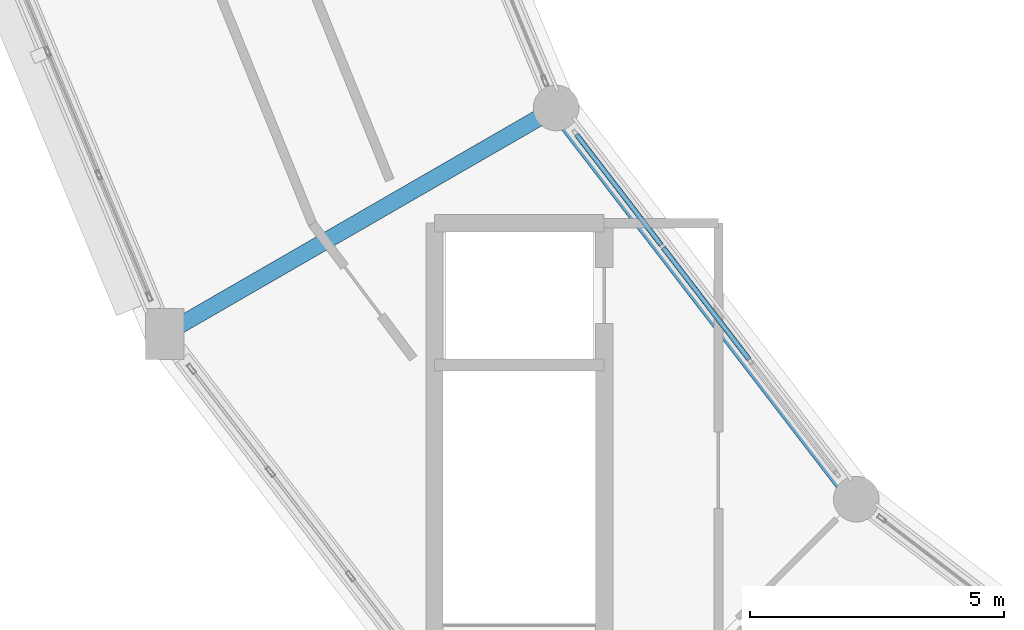
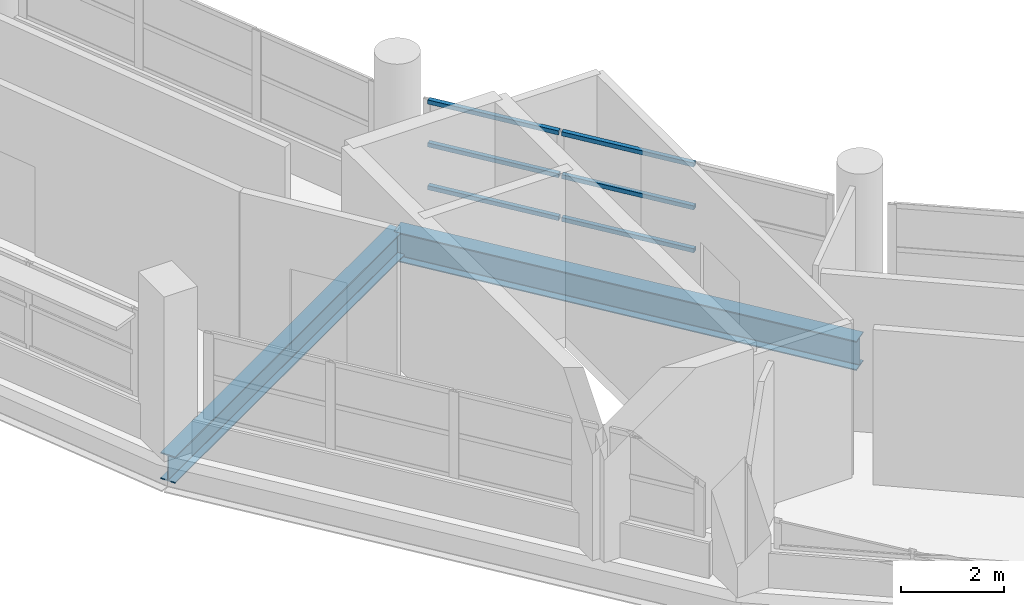
# One storey, part 15 of 53: 6 members, 2 beams, 1 element without a shape of its own.
"""IFC4 building model written with IfcOpenShell, lengths in metres."""

from ifc_helpers import new_model, si_unit, direction, frame, origin, origin_2d, place, context, subcontext, project, spatial, hollow_rectangle, i_section, extrude, material, layer, layer_set, material_profile, profile_set, type_object, element, aggregate, save


model = new_model("IFC4")

# Units and contexts
model_context = context("Model", 3, precision=1e-05, world=origin(), true_north=direction((0.0, 1.0)))
body_context = subcontext(model_context, "Body", "Model", "MODEL_VIEW")
ifc_project = project(units=[si_unit("LENGTHUNIT", "METRE"), si_unit("AREAUNIT", "SQUARE_METRE"), si_unit("VOLUMEUNIT", "CUBIC_METRE"), si_unit("PLANEANGLEUNIT", "RADIAN"), si_unit("MASSUNIT", "GRAM", prefix="KILO")], contexts=[model_context])

# Site, building, storey
site_placement = place(None, origin())
site = spatial("IfcSite", under=ifc_project, at=site_placement, CompositionType="ELEMENT")
building_placement = place(site_placement, origin())
building = spatial("IfcBuilding", under=site, at=building_placement, Name="Vespera Passage Community Centre", CompositionType="ELEMENT")
storey_placement = place(building_placement, frame((0.0, 0.0, 20.39990234375)))
storey = spatial("IfcBuildingStorey", under=building, at=storey_placement, Name="L05", CompositionType="ELEMENT", Elevation=20.39990234375)

# Beams
ifc_material_1 = material(Name="Steel ASTM A992 Grade 50", Category="steel")
ifc_material_profile_1 = material_profile(ifc_material_1, i_section(OverallWidth=0.32763671875, OverallDepth=0.62841796875, WebThickness=0.0166015625, FlangeThickness=0.027587890625, FilletRadius=0.0126953125, at=origin_2d()), Name="W24X146")
ifc_profile_set_1 = profile_set([ifc_material_profile_1], Name="Steel ASTM A992 Grade 50")
beam_type_1 = type_object("IfcBeamType", Name="BM-G-W24X146", PredefinedType="BEAM", material=ifc_profile_set_1)
beam_1_placement = place(storey_placement, frame((45.783935546875, 46.89990234375, -0.57421875), z_axis=(-0.866031643847, -0.499989191739, 0.0), x_axis=(0.499989191739, -0.866031643847, 0.0)))
element("IfcBeam", 1, at=beam_1_placement, inside=storey, type_object=beam_type_1, Name="V4 L05 Radial Girder 14", PredefinedType="BEAM", context=body_context, shape_type="SweptSolid", body=[
    extrude(i_section(OverallWidth=0.32763671875, OverallDepth=0.62841796875, WebThickness=0.0166015625, FlangeThickness=0.027587890625, FilletRadius=0.0126953125, at=origin_2d()), origin(), (0.0, 0.0, 1.0), 8.900146484375),
])
ifc_material_2 = material(Name="Steel ASTM A992 Grade 50", Category="steel")
ifc_material_profile_2 = material_profile(ifc_material_2, i_section(OverallWidth=0.3544921875, OverallDepth=0.695556640625, WebThickness=0.015380859375, FlangeThickness=0.024658203125, FilletRadius=0.01513671875, at=origin_2d()), Name="W27X146")
ifc_profile_set_2 = profile_set([ifc_material_profile_2], Name="Steel ASTM A992 Grade 50")
beam_type_2 = type_object("IfcBeamType", Name="BM-SP-W27X146E", PredefinedType="SPANDREL", material=ifc_profile_set_2)
beam_2_placement = place(storey_placement, frame((45.783935546875, 46.89990234375, -0.607666015625), z_axis=(0.60875291963, -0.793359869694, 0.0), x_axis=(0.793359869694, 0.60875291963, 0.0)))
element("IfcBeam", 2, at=beam_2_placement, inside=storey, type_object=beam_type_2, Name="V4 L05 Inner Spandrel 14", PredefinedType="SPANDREL", context=body_context, shape_type="SweptSolid", body=[
    extrude(i_section(OverallWidth=0.3544921875, OverallDepth=0.695556640625, WebThickness=0.015380859375, FlangeThickness=0.024658203125, FilletRadius=0.01513671875, at=origin_2d()), origin(), (0.0, 0.0, 1.0), 9.7109375),
])

# Curtain wall, members
ifc_material_3 = material(Name="Anodized aluminium 6063-T6", Category="aluminium")
ifc_layer = layer(ifc_material_3, 0.159912109375)
ifc_layer_set = layer_set([ifc_layer], Name="Anodized aluminium 6063-T6")
curtain_wall_type = type_object("IfcCurtainWallType", Name="CW-78E", PredefinedType="NOTDEFINED", material=ifc_layer_set)
curtain_wall_placement = place(storey_placement, origin())
curtain_wall = element("IfcCurtainWall", 3, at=curtain_wall_placement, inside=storey, type_object=curtain_wall_type, Name="V4 L05 Inner Court Curtain Wall 14", PredefinedType="NOTDEFINED")
ifc_material_4 = material(Name="Anodized aluminium 6063-T6", Category="aluminium")
ifc_material_profile_3 = material_profile(ifc_material_4, hollow_rectangle(XDim=0.10009765625, YDim=0.10009765625, WallThickness=0.00390625, InnerFilletRadius=0.001953125, OuterFilletRadius=0.00390625, at=origin_2d()), Name="ALU100X100X4")
ifc_profile_set_3 = profile_set([ifc_material_profile_3], Name="Anodized aluminium 6063-T6")
member_type = type_object("IfcMemberType", Name="MB-CWT-100E", PredefinedType="USERDEFINED", material=ifc_profile_set_3)
member_1_placement = place(storey_placement, frame((46.1845703125, 46.3779296875, 0.8701171875), z_axis=(0.608704195162, -0.793397254086, 0.0), x_axis=(0.793397254086, 0.608704195162, 0.0)))
member_1 = element("IfcMember", 4, at=member_1_placement, type_object=member_type, Name="CW-78E transom 1.1", ObjectType="TRANSOM", PredefinedType="USERDEFINED", context=body_context, shape_type="SweptSolid", body=[
    extrude(hollow_rectangle(XDim=0.10009765625, YDim=0.10009765625, WallThickness=0.00390625, InnerFilletRadius=0.001953125, OuterFilletRadius=0.00390625, at=origin_2d()), origin(), (0.0, 0.0, 1.0), 2.744140625),
])
member_2_placement = place(storey_placement, frame((46.1845703125, 46.3779296875, 1.884765625), z_axis=(0.608704195162, -0.793397254086, 0.0), x_axis=(0.793397254086, 0.608704195162, 0.0)))
member_2 = element("IfcMember", 5, at=member_2_placement, type_object=member_type, Name="CW-78E transom 1.2", ObjectType="TRANSOM", PredefinedType="USERDEFINED", context=body_context, shape_type="SweptSolid", body=[
    extrude(hollow_rectangle(XDim=0.10009765625, YDim=0.10009765625, WallThickness=0.00390625, InnerFilletRadius=0.001953125, OuterFilletRadius=0.00390625, at=origin_2d()), origin(), (0.0, 0.0, 1.0), 2.744140625),
])
member_3_placement = place(storey_placement, frame((46.1845703125, 46.3779296875, 2.899658203125), z_axis=(0.608704195162, -0.793397254086, 0.0), x_axis=(0.793397254086, 0.608704195162, 0.0)))
member_3 = element("IfcMember", 6, at=member_3_placement, type_object=member_type, Name="CW-78E transom 1.3", ObjectType="TRANSOM", PredefinedType="USERDEFINED", context=body_context, shape_type="SweptSolid", body=[
    extrude(hollow_rectangle(XDim=0.10009765625, YDim=0.10009765625, WallThickness=0.00390625, InnerFilletRadius=0.001953125, OuterFilletRadius=0.00390625, at=origin_2d()), origin(), (0.0, 0.0, 1.0), 2.744140625),
])
member_4_placement = place(storey_placement, frame((47.89453125, 44.149169921875, 0.8701171875), z_axis=(0.60878404001, -0.793335989748, 0.0), x_axis=(0.793335989748, 0.60878404001, 0.0)))
member_4 = element("IfcMember", 7, at=member_4_placement, type_object=member_type, Name="CW-78E transom 2.1", ObjectType="TRANSOM", PredefinedType="USERDEFINED", context=body_context, shape_type="SweptSolid", body=[
    extrude(hollow_rectangle(XDim=0.10009765625, YDim=0.10009765625, WallThickness=0.00390625, InnerFilletRadius=0.001953125, OuterFilletRadius=0.00390625, at=origin_2d()), origin(), (0.0, 0.0, 1.0), 2.776611328125),
])
member_5_placement = place(storey_placement, frame((47.89453125, 44.149169921875, 1.884765625), z_axis=(0.60878404001, -0.793335989748, 0.0), x_axis=(0.793335989748, 0.60878404001, 0.0)))
member_5 = element("IfcMember", 8, at=member_5_placement, type_object=member_type, Name="CW-78E transom 2.2", ObjectType="TRANSOM", PredefinedType="USERDEFINED", context=body_context, shape_type="SweptSolid", body=[
    extrude(hollow_rectangle(XDim=0.10009765625, YDim=0.10009765625, WallThickness=0.00390625, InnerFilletRadius=0.001953125, OuterFilletRadius=0.00390625, at=origin_2d()), origin(), (0.0, 0.0, 1.0), 2.776611328125),
])
member_6_placement = place(storey_placement, frame((47.89453125, 44.149169921875, 2.899658203125), z_axis=(0.60878404001, -0.793335989748, 0.0), x_axis=(0.793335989748, 0.60878404001, 0.0)))
member_6 = element("IfcMember", 9, at=member_6_placement, type_object=member_type, Name="CW-78E transom 2.3", ObjectType="TRANSOM", PredefinedType="USERDEFINED", context=body_context, shape_type="SweptSolid", body=[
    extrude(hollow_rectangle(XDim=0.10009765625, YDim=0.10009765625, WallThickness=0.00390625, InnerFilletRadius=0.001953125, OuterFilletRadius=0.00390625, at=origin_2d()), origin(), (0.0, 0.0, 1.0), 2.776611328125),
])
aggregate(curtain_wall, [member_1, member_2, member_3, member_4, member_5, member_6])

save(model, "model.ifc")
